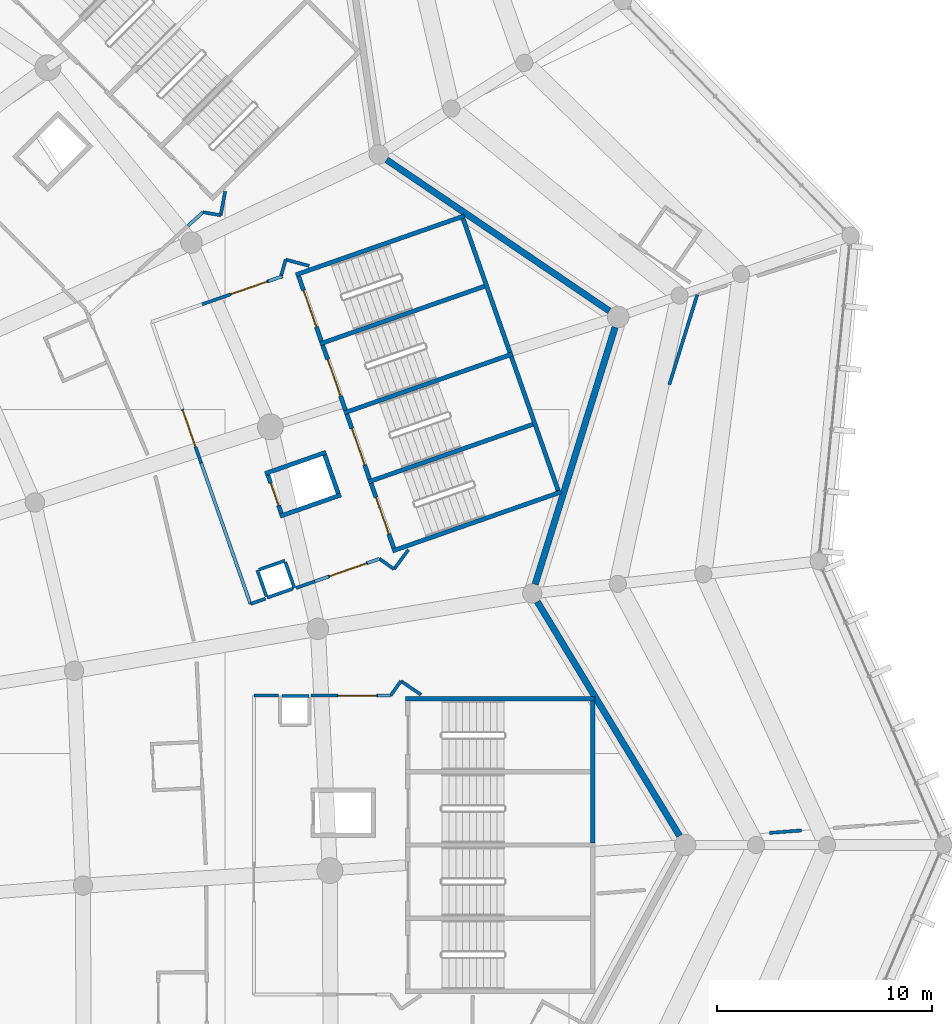
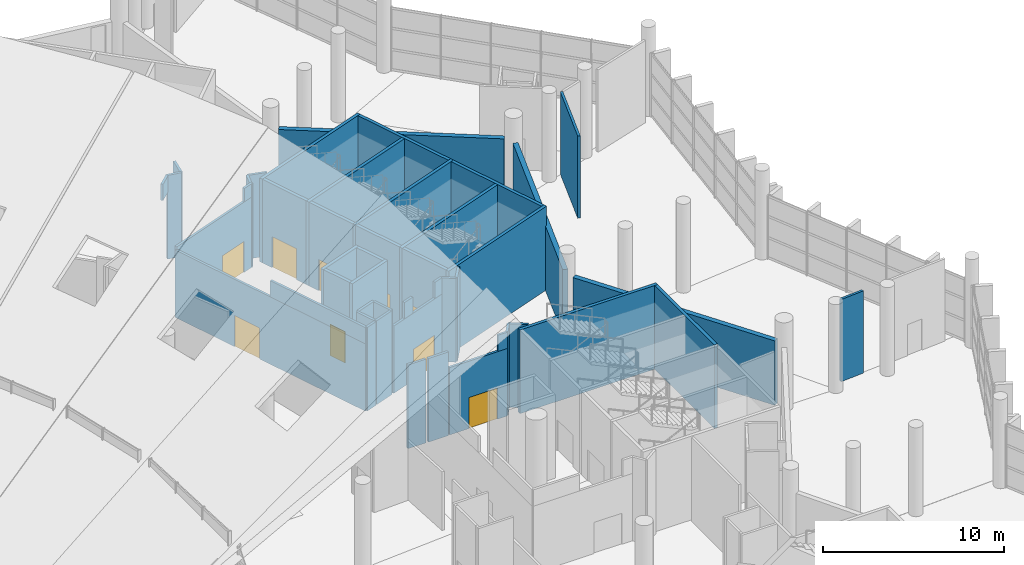
# One storey, part 172 of 249: 47 walls, 9 doors, 9 openings.
"""IFC4 building model written with IfcOpenShell, lengths in metres."""

from ifc_helpers import new_model, si_unit, direction, frame, frame_2d, origin, place, context, subcontext, project, spatial, rectangle, extrude, material, layer, layer_set, type_object, element, fill, save


model = new_model("IFC4")

# Units and contexts
model_context = context("Model", 3, precision=1e-05, world=origin(), true_north=direction((0.0, 1.0)))
body_context = subcontext(model_context, "Body", "Model", "MODEL_VIEW")
ifc_project = project(units=[si_unit("LENGTHUNIT", "METRE"), si_unit("AREAUNIT", "SQUARE_METRE"), si_unit("VOLUMEUNIT", "CUBIC_METRE"), si_unit("PLANEANGLEUNIT", "RADIAN"), si_unit("MASSUNIT", "GRAM", prefix="KILO")], contexts=[model_context])

# Site, building, storey
site_placement = place(None, origin())
site = spatial("IfcSite", under=ifc_project, at=site_placement, CompositionType="ELEMENT")
building_placement = place(site_placement, origin())
building = spatial("IfcBuilding", under=site, at=building_placement, Name="Meseta Stadium", CompositionType="ELEMENT")
storey_placement = place(building_placement, frame((0.0, 0.0, 12.0)))
storey = spatial("IfcBuildingStorey", under=building, at=storey_placement, Name="L02", CompositionType="ELEMENT", Elevation=12.0)

# Walls
ifc_material_1 = material(Name="Concrete C40/50", Category="concrete")
ifc_layer_1 = layer(ifc_material_1, 0.199951171875)
ifc_layer_set_1 = layer_set([ifc_layer_1], Name="Core divider wall 200")
wall_type_1 = type_object("IfcWallType", Name="Core divider wall 200", PredefinedType="SHEAR", material=ifc_layer_set_1)
for number, where, z_axis, x_axis, name in (
    (1, (94.505859375, 63.370849609375, 0.0), (0.0, 0.0, 1.0), (-0.943878073457, -0.330294084791, 0.0), "Core 06 L02 stair A divider wall"),
    (2, (92.260009765625, 69.789306640625, 0.0), (0.0, 0.0, 1.0), (-0.943878073457, -0.330294084791, 0.0), "Core 06 L02 stair B divider wall"),
):
    element("IfcWall", number, at=place(storey_placement, frame(where, z_axis=z_axis, x_axis=x_axis)), inside=storey, type_object=wall_type_1, Name=name, PredefinedType="SHEAR", context=body_context, shape_type="SweptSolid", body=[
        extrude(rectangle(XDim=8.300048828125, YDim=0.199951171875, at=frame_2d((4.14990234375, 0.0))), origin(), (0.0, 0.0, 1.0), 5.64990234375),
    ])
ifc_material_2 = material(Name="Concrete C40/50", Category="concrete")
ifc_layer_2 = layer(ifc_material_2, 0.199951171875)
ifc_layer_set_2 = layer_set([ifc_layer_2], Name="Core shaft wall 200")
wall_type_2 = type_object("IfcWallType", Name="Core shaft wall 200", PredefinedType="SHEAR", material=ifc_layer_set_2)
wall_1_placement = place(storey_placement, frame((97.199951171875, 50.550048828125, 0.0), z_axis=(0.0, 0.0, 1.0), x_axis=(-1.0, 0.0, 0.0)))
element("IfcWall", 3, at=wall_1_placement, inside=storey, type_object=wall_type_2, Name="Core 05 L02 stair wall B-side", PredefinedType="SHEAR", context=body_context, shape_type="SweptSolid", body=[
    extrude(rectangle(XDim=8.800048828125, YDim=0.199951171875, at=frame_2d((4.39990234375, 0.0))), origin(), (0.0, 0.0, 1.0), 5.64990234375),
])
wall_2_placement = place(storey_placement, frame((97.10009765625, 43.85009765625, 0.0), z_axis=(0.0, 0.0, 1.0), x_axis=(0.0, 1.0, 0.0)))
element("IfcWall", 4, at=wall_2_placement, inside=storey, type_object=wall_type_2, Name="Core 05 L02 stair B outer end wall", PredefinedType="SHEAR", context=body_context, shape_type="SweptSolid", body=[
    extrude(rectangle(XDim=6.599853515625, YDim=0.199951171875, at=frame_2d((3.2998046875, 0.0))), origin(), (0.0, 0.0, 1.0), 5.64990234375),
])
for number, where, z_axis, x_axis, name in (
    (5, (95.62890625, 60.16162109375, 0.0), (0.0, 0.0, 1.0), (-0.943887243331, -0.330267878966, 0.0), "Core 06 L02 stair wall A-side"),
    (6, (93.3828125, 66.580078125, 0.0), (0.0, 0.0, 1.0), (-0.943878073457, -0.330294084791, 0.0), "Core 06 L02 stair wall shared"),
    (7, (91.136962890625, 72.998291015625, 0.0), (0.0, 0.0, 1.0), (-0.943887243331, -0.330267878966, 0.0), "Core 06 L02 stair wall B-side"),
):
    element("IfcWall", number, at=place(storey_placement, frame(where, z_axis=z_axis, x_axis=x_axis)), inside=storey, type_object=wall_type_2, Name=name, PredefinedType="SHEAR", context=body_context, shape_type="SweptSolid", body=[
        extrude(rectangle(XDim=8.300048828125, YDim=0.199951171875, at=frame_2d((4.14990234375, 0.0))), origin(), (0.0, 0.0, 1.0), 5.64990234375),
    ])
for number, where, z_axis, x_axis, name in (
    (8, (95.50146484375, 60.222900390625, 0.0), (0.0, 0.0, 1.0), (-0.330286164688, 0.943880844925, 0.0), "Core 06 L02 stair A outer end wall"),
    (9, (93.255615234375, 66.641357421875, 0.0), (0.0, 0.0, 1.0), (-0.330286164688, 0.943880844925, 0.0), "Core 06 L02 stair B outer end wall"),
):
    element("IfcWall", number, at=place(storey_placement, frame(where, z_axis=z_axis, x_axis=x_axis)), inside=storey, type_object=wall_type_2, Name=name, PredefinedType="SHEAR", context=body_context, shape_type="SweptSolid", body=[
        extrude(rectangle(XDim=6.60009765625, YDim=0.199951171875, at=frame_2d((3.300048828125, 0.0))), origin(), (0.0, 0.0, 1.0), 5.64990234375),
    ])

# Wall, opening, door
wall_3_placement = place(storey_placement, frame((87.85595703125, 57.547607421875, 0.0), z_axis=(0.0, 0.0, 1.0), x_axis=(-0.330268863922, 0.943886898693, 0.0)))
wall_3 = element("IfcWall", 10, at=wall_3_placement, inside=storey, type_object=wall_type_2, Name="Core 06 L02 stair A1 inner end wall", PredefinedType="SHEAR", context=body_context, shape_type="SweptSolid", body=[
    extrude(rectangle(XDim=3.2001953125, YDim=0.199951171875, at=frame_2d((1.60009765625, 0.0))), origin(), (0.0, 0.0, 1.0), 5.64990234375),
])
opening_1_placement = place(wall_3_placement, frame((0.699951171875, 0.0, 0.0)))
opening_1 = element("IfcOpeningElement", 11, at=opening_1_placement, cuts=wall_3, Name="Opening D1233", PredefinedType="OPENING", context=body_context, shape_type="SweptSolid", body=[
    extrude(rectangle(XDim=1.800048828125, YDim=2.10009765625, at=frame_2d((0.89990234375, 1.050048828125))), frame((0.0, 0.10986328125, 0.0), z_axis=(0.0, -1.0, 0.0), x_axis=(1.0, 0.0, 0.0)), (0.0, 0.0, 1.0), 0.219970703125),
])
ifc_material_3 = material(Name="Steel", Category="steel")
door_type_1 = type_object("IfcDoorType", Name="Stair door 1800x2100", OperationType="DOUBLE_DOOR_SINGLE_SWING", PredefinedType="DOOR", material=ifc_material_3)
door_1_placement = place(opening_1_placement, origin())
door_1 = element("IfcDoor", 12, at=door_1_placement, inside=storey, type_object=door_type_1, Name="Stair A1 door 06 L02", OperationType="DOUBLE_DOOR_SINGLE_SWING", OverallHeight=2.10009765625, OverallWidth=1.800048828125, PredefinedType="DOOR", context=body_context, shape_type="SweptSolid", body=[
    extrude(rectangle(XDim=1.800048828125, YDim=2.10009765625, at=frame_2d((0.89990234375, 1.050048828125))), frame((0.0, 0.02490234375, 0.0), z_axis=(0.0, -1.0, 0.0), x_axis=(1.0, 0.0, 0.0)), (0.0, 0.0, 1.0), 0.050048828125),
])
fill(opening_1, door_1)

wall_4_placement = place(storey_placement, frame((86.73291015625, 60.7568359375, 0.0), z_axis=(0.0, 0.0, 1.0), x_axis=(-0.330268863922, 0.943886898693, 0.0)))
wall_4 = element("IfcWall", 13, at=wall_4_placement, inside=storey, type_object=wall_type_2, Name="Core 06 L02 stair A2 inner end wall", PredefinedType="SHEAR", context=body_context, shape_type="SweptSolid", body=[
    extrude(rectangle(XDim=3.2001953125, YDim=0.199951171875, at=frame_2d((1.60009765625, 0.0))), origin(), (0.0, 0.0, 1.0), 5.64990234375),
])
opening_2_placement = place(wall_4_placement, frame((0.699951171875, 0.0, 0.0)))
opening_2 = element("IfcOpeningElement", 14, at=opening_2_placement, cuts=wall_4, Name="Opening D1224", PredefinedType="OPENING", context=body_context, shape_type="SweptSolid", body=[
    extrude(rectangle(XDim=1.800048828125, YDim=2.10009765625, at=frame_2d((0.89990234375, 1.050048828125))), frame((0.0, 0.10986328125, 0.0), z_axis=(0.0, -1.0, 0.0), x_axis=(1.0, 0.0, 0.0)), (0.0, 0.0, 1.0), 0.219970703125),
])
door_2_placement = place(opening_2_placement, origin())
door_2 = element("IfcDoor", 15, at=door_2_placement, inside=storey, type_object=door_type_1, Name="Stair A2 door 06 L02", OperationType="DOUBLE_DOOR_SINGLE_SWING", OverallHeight=2.10009765625, OverallWidth=1.800048828125, PredefinedType="DOOR", context=body_context, shape_type="SweptSolid", body=[
    extrude(rectangle(XDim=1.800048828125, YDim=2.10009765625, at=frame_2d((0.89990234375, 1.050048828125))), frame((0.0, 0.02490234375, 0.0), z_axis=(0.0, -1.0, 0.0), x_axis=(1.0, 0.0, 0.0)), (0.0, 0.0, 1.0), 0.050048828125),
])
fill(opening_2, door_2)

wall_5_placement = place(storey_placement, frame((85.610107421875, 63.966064453125, 0.0), z_axis=(0.0, 0.0, 1.0), x_axis=(-0.330268863922, 0.943886898693, 0.0)))
wall_5 = element("IfcWall", 16, at=wall_5_placement, inside=storey, type_object=wall_type_2, Name="Core 06 L02 stair B1 inner end wall", PredefinedType="SHEAR", context=body_context, shape_type="SweptSolid", body=[
    extrude(rectangle(XDim=3.2001953125, YDim=0.199951171875, at=frame_2d((1.60009765625, 0.0))), origin(), (0.0, 0.0, 1.0), 5.64990234375),
])
opening_3_placement = place(wall_5_placement, frame((0.699951171875, 0.0, 0.0)))
opening_3 = element("IfcOpeningElement", 17, at=opening_3_placement, cuts=wall_5, Name="Opening D1220", PredefinedType="OPENING", context=body_context, shape_type="SweptSolid", body=[
    extrude(rectangle(XDim=1.800048828125, YDim=2.10009765625, at=frame_2d((0.89990234375, 1.050048828125))), frame((0.0, 0.10986328125, 0.0), z_axis=(0.0, -1.0, 0.0), x_axis=(1.0, 0.0, 0.0)), (0.0, 0.0, 1.0), 0.219970703125),
])
door_3_placement = place(opening_3_placement, origin())
door_3 = element("IfcDoor", 18, at=door_3_placement, inside=storey, type_object=door_type_1, Name="Stair B1 door 06 L02", OperationType="DOUBLE_DOOR_SINGLE_SWING", OverallHeight=2.10009765625, OverallWidth=1.800048828125, PredefinedType="DOOR", context=body_context, shape_type="SweptSolid", body=[
    extrude(rectangle(XDim=1.800048828125, YDim=2.10009765625, at=frame_2d((0.89990234375, 1.050048828125))), frame((0.0, 0.02490234375, 0.0), z_axis=(0.0, -1.0, 0.0), x_axis=(1.0, 0.0, 0.0)), (0.0, 0.0, 1.0), 0.050048828125),
])
fill(opening_3, door_3)

wall_6_placement = place(storey_placement, frame((84.487060546875, 67.17529296875, 0.0), z_axis=(0.0, 0.0, 1.0), x_axis=(-0.330268863922, 0.943886898693, 0.0)))
wall_6 = element("IfcWall", 19, at=wall_6_placement, inside=storey, type_object=wall_type_2, Name="Core 06 L02 stair B2 inner end wall", PredefinedType="SHEAR", context=body_context, shape_type="SweptSolid", body=[
    extrude(rectangle(XDim=3.2001953125, YDim=0.199951171875, at=frame_2d((1.60009765625, 0.0))), origin(), (0.0, 0.0, 1.0), 5.64990234375),
])
opening_4_placement = place(wall_6_placement, frame((0.699951171875, 0.0, 0.0)))
opening_4 = element("IfcOpeningElement", 20, at=opening_4_placement, cuts=wall_6, Name="Opening D1217", PredefinedType="OPENING", context=body_context, shape_type="SweptSolid", body=[
    extrude(rectangle(XDim=1.800048828125, YDim=2.10009765625, at=frame_2d((0.89990234375, 1.050048828125))), frame((0.0, 0.10986328125, 0.0), z_axis=(0.0, -1.0, 0.0), x_axis=(1.0, 0.0, 0.0)), (0.0, 0.0, 1.0), 0.219970703125),
])
door_4_placement = place(opening_4_placement, origin())
door_4 = element("IfcDoor", 21, at=door_4_placement, inside=storey, type_object=door_type_1, Name="Stair B2 door 06 L02", OperationType="DOUBLE_DOOR_SINGLE_SWING", OverallHeight=2.10009765625, OverallWidth=1.800048828125, PredefinedType="DOOR", context=body_context, shape_type="SweptSolid", body=[
    extrude(rectangle(XDim=1.800048828125, YDim=2.10009765625, at=frame_2d((0.89990234375, 1.050048828125))), frame((0.0, 0.02490234375, 0.0), z_axis=(0.0, -1.0, 0.0), x_axis=(1.0, 0.0, 0.0)), (0.0, 0.0, 1.0), 0.050048828125),
])
fill(opening_4, door_4)

# Walls
wall_7_placement = place(storey_placement, frame((85.39990234375, 60.025390625, 0.0), z_axis=(0.0, 0.0, 1.0), x_axis=(-0.943900215722, -0.330230802259, 0.0)))
element("IfcWall", 22, at=wall_7_placement, inside=storey, type_object=wall_type_2, Name="Core 06 L02 lift shaft wall left", PredefinedType="SHEAR", context=body_context, shape_type="SweptSolid", body=[
    extrude(rectangle(XDim=3.0, YDim=0.199951171875, at=frame_2d((1.5, 0.0))), origin(), (0.0, 0.0, 1.0), 5.64990234375),
])
wall_8_placement = place(storey_placement, frame((84.706298828125, 62.0078125, 0.0), z_axis=(0.0, 0.0, 1.0), x_axis=(-0.943874847782, -0.330303302625, 0.0)))
element("IfcWall", 23, at=wall_8_placement, inside=storey, type_object=wall_type_2, Name="Core 06 L02 lift shaft wall right", PredefinedType="SHEAR", context=body_context, shape_type="SweptSolid", body=[
    extrude(rectangle(XDim=3.000244140625, YDim=0.199951171875, at=frame_2d((1.5, 0.0))), origin(), (0.0, 0.0, 1.0), 5.64990234375),
])
wall_9_placement = place(storey_placement, frame((85.272216796875, 60.0869140625, 0.0), z_axis=(0.0, 0.0, 1.0), x_axis=(-0.330224505327, 0.943902418729, 0.0)))
element("IfcWall", 24, at=wall_9_placement, inside=storey, type_object=wall_type_2, Name="Core 06 L02 lift shaft back wall", PredefinedType="SHEAR", context=body_context, shape_type="SweptSolid", body=[
    extrude(rectangle(XDim=1.900146484375, YDim=0.199951171875, at=frame_2d((0.9501953125, 0.0))), origin(), (0.0, 0.0, 1.0), 5.64990234375),
])

# Wall, opening, door
wall_10_placement = place(storey_placement, frame((82.62939453125, 59.162109375, 0.0), z_axis=(0.0, 0.0, 1.0), x_axis=(-0.330224505327, 0.943902418729, 0.0)))
wall_10 = element("IfcWall", 25, at=wall_10_placement, inside=storey, type_object=wall_type_2, Name="Core 06 L02 lift shaft front wall", PredefinedType="SHEAR", context=body_context, shape_type="SweptSolid", body=[
    extrude(rectangle(XDim=1.900146484375, YDim=0.199951171875, at=frame_2d((0.9501953125, 0.0))), origin(), (0.0, 0.0, 1.0), 5.64990234375),
])
opening_5_placement = place(wall_10_placement, frame((0.39990234375, 0.0, 0.0)))
opening_5 = element("IfcOpeningElement", 26, at=opening_5_placement, cuts=wall_10, Name="Opening LD34", PredefinedType="OPENING", context=body_context, shape_type="SweptSolid", body=[
    extrude(rectangle(XDim=1.10009765625, YDim=2.10009765625, at=frame_2d((0.550048828125, 1.050048828125))), frame((0.0, 0.10986328125, 0.0), z_axis=(0.0, -1.0, 0.0), x_axis=(1.0, 0.0, 0.0)), (0.0, 0.0, 1.0), 0.219970703125),
])
ifc_material_4 = material(Name="Steel", Category="steel")
door_type_2 = type_object("IfcDoorType", Name="Lift landing door 1100x2100", OperationType="SLIDING_TO_LEFT", PredefinedType="DOOR", material=ifc_material_4)
door_5_placement = place(opening_5_placement, origin())
door_5 = element("IfcDoor", 27, at=door_5_placement, inside=storey, type_object=door_type_2, Name="Lift landing door LD34", OperationType="SLIDING_TO_RIGHT", OverallHeight=2.10009765625, OverallWidth=1.10009765625, PredefinedType="DOOR", context=body_context, shape_type="SweptSolid", body=[
    extrude(rectangle(XDim=1.10009765625, YDim=2.10009765625, at=frame_2d((0.550048828125, 1.050048828125))), frame((0.0, 0.02490234375, 0.0), z_axis=(0.0, -1.0, 0.0), x_axis=(1.0, 0.0, 0.0)), (0.0, 0.0, 1.0), 0.050048828125),
])
fill(opening_5, door_5)

# Walls
ifc_material_5 = material(Name="Masonry blockwork", Category="masonry")
ifc_layer_3 = layer(ifc_material_5, 0.14990234375)
ifc_layer_set_3 = layer_set([ifc_layer_3], Name="Partition 150")
wall_type_3 = type_object("IfcWallType", Name="Partition 150", PredefinedType="PARTITIONING", material=ifc_layer_set_3)
wall_11_placement = place(storey_placement, frame((105.322021484375, 44.31201171875, 0.0), z_axis=(0.0, 0.0, 1.0), x_axis=(0.997063142475, 0.07658387505, 0.0)))
element("IfcWall", 28, at=wall_11_placement, inside=storey, type_object=wall_type_3, Name="Partition L02 L02-ring03-0", PredefinedType="PARTITIONING", context=body_context, shape_type="SweptSolid", body=[
    extrude(rectangle(XDim=1.491943359375, YDim=0.14990234375, at=frame_2d((0.74609375, 0.0))), origin(), (0.0, 0.0, 1.0), 5.550048828125),
])
wall_12_placement = place(storey_placement, frame((100.6650390625, 65.154296875, 0.0), z_axis=(0.0, 0.0, 1.0), x_axis=(0.296860778356, 0.954920770679, 0.0)))
element("IfcWall", 29, at=wall_12_placement, inside=storey, type_object=wall_type_3, Name="Partition L02 L02-ring04-0", PredefinedType="PARTITIONING", context=body_context, shape_type="SweptSolid", body=[
    extrude(rectangle(XDim=4.375244140625, YDim=0.14990234375, at=frame_2d((2.1875, 0.0))), origin(), (0.0, 0.0, 1.0), 5.550048828125),
])
wall_13_placement = place(storey_placement, frame((83.925048828125, 50.675048828125, 0.0), z_axis=(0.0, 0.0, 1.0), x_axis=(-1.0, 0.0, 0.0)))
element("IfcWall", 30, at=wall_13_placement, inside=storey, type_object=wall_type_3, Name="Pressurisation shaft wall L02 core 05", PredefinedType="PARTITIONING", context=body_context, shape_type="SweptSolid", body=[
    extrude(rectangle(XDim=1.275146484375, YDim=0.14990234375, at=frame_2d((0.6376953125, 0.0))), origin(), (0.0, 0.0, 1.0), 5.64990234375),
])
wall_14_placement = place(storey_placement, frame((82.489990234375, 50.695068359375, 0.0), z_axis=(0.0, 0.0, 1.0), x_axis=(-1.0, 0.0, 0.0)))
element("IfcWall", 31, at=wall_14_placement, inside=storey, type_object=wall_type_3, Name="Stair vestibule wall L02 core 05", PredefinedType="PARTITIONING", context=body_context, shape_type="SweptSolid", body=[
    extrude(rectangle(XDim=1.135009765625, YDim=0.14990234375, at=frame_2d((0.5673828125, 0.0))), origin(), (0.0, 0.0, 1.0), 5.64990234375),
])
wall_15_placement = place(storey_placement, frame((89.11962890625, 50.739501953125, 0.0), z_axis=(0.0, 0.0, 1.0), x_axis=(-0.827055308354, 0.562120553728, 0.0)))
element("IfcWall", 32, at=wall_15_placement, inside=storey, type_object=wall_type_3, Name="Stair vestibule wall L02 core 05", PredefinedType="PARTITIONING", context=body_context, shape_type="SweptSolid", body=[
    extrude(rectangle(XDim=1.1279296875, YDim=0.14990234375, at=frame_2d((0.56396484375, 0.0))), origin(), (0.0, 0.0, 1.0), 5.64990234375),
])
wall_16_placement = place(storey_placement, frame((88.186767578125, 51.37353515625, 0.0), z_axis=(0.0, 0.0, 1.0), x_axis=(-0.575376756214, -0.817888493872, 0.0)))
element("IfcWall", 33, at=wall_16_placement, inside=storey, type_object=wall_type_3, Name="Stair vestibule wall L02 core 05", PredefinedType="PARTITIONING", context=body_context, shape_type="SweptSolid", body=[
    extrude(rectangle(XDim=0.82958984375, YDim=0.14990234375, at=frame_2d((0.414794921875, 0.0))), origin(), (0.0, 0.0, 1.0), 5.64990234375),
])

# Wall, opening, door
wall_17_placement = place(storey_placement, frame((87.70947265625, 50.695068359375, 0.0), z_axis=(0.0, 0.0, 1.0), x_axis=(-1.0, 0.0, 0.0)))
wall_17 = element("IfcWall", 34, at=wall_17_placement, inside=storey, type_object=wall_type_3, Name="Stair vestibule wall L02 core 05", PredefinedType="PARTITIONING", context=body_context, shape_type="SweptSolid", body=[
    extrude(rectangle(XDim=3.70361328125, YDim=0.14990234375, at=frame_2d((1.851806640625, 0.0))), origin(), (0.0, 0.0, 1.0), 4.550048828125),
])
opening_6_placement = place(wall_17_placement, frame((0.64990234375, 0.0, 0.0)))
opening_6 = element("IfcOpeningElement", 35, at=opening_6_placement, cuts=wall_17, Name="Opening D1223", PredefinedType="OPENING", context=body_context, shape_type="SweptSolid", body=[
    extrude(rectangle(XDim=1.800048828125, YDim=2.10009765625, at=frame_2d((0.89990234375, 1.050048828125))), frame((0.0, 0.0849609375, 0.0), z_axis=(0.0, -1.0, 0.0), x_axis=(1.0, 0.0, 0.0)), (0.0, 0.0, 1.0), 0.169921875),
])
ifc_material_6 = material(Name="Steel", Category="steel")
door_type_3 = type_object("IfcDoorType", Name="Fire double door 1800x2100 EI2 60", OperationType="DOUBLE_DOOR_SINGLE_SWING", PredefinedType="DOOR", material=ifc_material_6)
door_6_placement = place(opening_6_placement, origin())
door_6 = element("IfcDoor", 36, at=door_6_placement, inside=storey, type_object=door_type_3, Name="Stair vestibule door L02 core 05", OperationType="DOUBLE_DOOR_SINGLE_SWING", OverallHeight=2.10009765625, OverallWidth=1.800048828125, PredefinedType="DOOR", context=body_context, shape_type="SweptSolid", body=[
    extrude(rectangle(XDim=1.800048828125, YDim=2.10009765625, at=frame_2d((0.89990234375, 1.050048828125))), frame((0.0, 0.02490234375, 0.0), z_axis=(0.0, -1.0, 0.0), x_axis=(1.0, 0.0, 0.0)), (0.0, 0.0, 1.0), 0.050048828125),
])
fill(opening_6, door_6)

# Walls
wall_18_placement = place(storey_placement, frame((87.70947265625, 50.695068359375, 4.550048828125), z_axis=(0.0, 0.0, 1.0), x_axis=(-1.0, 0.0, 0.0)))
element("IfcWall", 37, at=wall_18_placement, inside=storey, type_object=wall_type_3, Name="Stair vestibule wall L02 core 05", PredefinedType="PARTITIONING", context=body_context, shape_type="SweptSolid", body=[
    extrude(rectangle(XDim=0.599853515625, YDim=0.14990234375, at=frame_2d((0.2998046875, 0.0))), origin(), (0.0, 0.0, 1.0), 1.099853515625),
])
for number, where, z_axis, x_axis, name in (
    (38, (83.234619140625, 55.692138671875, 0.0), (0.0, 0.0, 1.0), (-0.330324835387, 0.943867312246, 0.0), "Pressurisation shaft wall L02 core 06"),
    (39, (82.78857421875, 56.96630859375, 0.0), (0.0, 0.0, 1.0), (-0.943927004722, -0.330154221169, 0.0), "Pressurisation shaft wall L02 core 06"),
    (40, (81.514404296875, 56.5205078125, 0.0), (0.0, 0.0, 1.0), (0.330154221169, -0.943927004722, 0.0), "Pressurisation shaft wall L02 core 06"),
):
    element("IfcWall", number, at=place(storey_placement, frame(where, z_axis=z_axis, x_axis=x_axis)), inside=storey, type_object=wall_type_3, Name=name, PredefinedType="PARTITIONING", context=body_context, shape_type="SweptSolid", body=[
        extrude(rectangle(XDim=1.27490234375, YDim=0.14990234375, at=frame_2d((0.637451171875, 0.0))), origin(), (0.0, 0.0, 1.0), 5.64990234375),
    ])
wall_19_placement = place(storey_placement, frame((81.960205078125, 55.246337890625, 0.0), z_axis=(0.0, 0.0, 1.0), x_axis=(0.943888201207, 0.330265141396, 0.0)))
element("IfcWall", 41, at=wall_19_placement, inside=storey, type_object=wall_type_3, Name="Pressurisation shaft wall L02 core 06", PredefinedType="PARTITIONING", context=body_context, shape_type="SweptSolid", body=[
    extrude(rectangle(XDim=1.275146484375, YDim=0.14990234375, at=frame_2d((0.6376953125, 0.0))), origin(), (0.0, 0.0, 1.0), 5.64990234375),
])

# Wall, opening, door
wall_20_placement = place(storey_placement, frame((82.677490234375, 70.19189453125, 0.0), z_axis=(0.0, 0.0, 1.0), x_axis=(-0.943884385731, -0.330276045715, 0.0)))
wall_20 = element("IfcWall", 42, at=wall_20_placement, inside=storey, type_object=wall_type_3, Name="Stair vestibule wall L02 core 06", PredefinedType="PARTITIONING", context=body_context, shape_type="SweptSolid", body=[
    extrude(rectangle(XDim=6.433349609375, YDim=0.14990234375, at=frame_2d((3.216796875, 0.0))), origin(), (0.0, 0.0, 1.0), 4.75),
])
opening_7_placement = place(wall_20_placement, frame((0.75, 0.0, 0.0)))
opening_7 = element("IfcOpeningElement", 43, at=opening_7_placement, cuts=wall_20, Name="Opening D1210", PredefinedType="OPENING", context=body_context, shape_type="SweptSolid", body=[
    extrude(rectangle(XDim=1.800048828125, YDim=2.10009765625, at=frame_2d((0.89990234375, 1.050048828125))), frame((0.0, 0.0849609375, 0.0), z_axis=(0.0, -1.0, 0.0), x_axis=(1.0, 0.0, 0.0)), (0.0, 0.0, 1.0), 0.169921875),
])
door_7_placement = place(opening_7_placement, origin())
door_7 = element("IfcDoor", 44, at=door_7_placement, inside=storey, type_object=door_type_3, Name="Stair vestibule door L02 core 06", OperationType="DOUBLE_DOOR_SINGLE_SWING", OverallHeight=2.10009765625, OverallWidth=1.800048828125, PredefinedType="DOOR", context=body_context, shape_type="SweptSolid", body=[
    extrude(rectangle(XDim=1.800048828125, YDim=2.10009765625, at=frame_2d((0.89990234375, 1.050048828125))), frame((0.0, 0.02490234375, 0.0), z_axis=(0.0, -1.0, 0.0), x_axis=(1.0, 0.0, 0.0)), (0.0, 0.0, 1.0), 0.050048828125),
])
fill(opening_7, door_7)

# Wall
wall_21_placement = place(storey_placement, frame((82.677490234375, 70.19189453125, 4.75), z_axis=(0.0, 0.0, 1.0), x_axis=(-0.943907271516, -0.330210633958, 0.0)))
element("IfcWall", 45, at=wall_21_placement, inside=storey, type_object=wall_type_3, Name="Stair vestibule wall L02 core 06", PredefinedType="PARTITIONING", context=body_context, shape_type="SweptSolid", body=[
    extrude(rectangle(XDim=0.7001953125, YDim=0.14990234375, at=frame_2d((0.35009765625, 0.0))), origin(), (0.0, 0.0, 1.0), 0.89990234375),
])

# Wall, opening, door
wall_22_placement = place(storey_placement, frame((76.605224609375, 68.067138671875, 0.0), z_axis=(0.0, 0.0, 1.0), x_axis=(0.330282309563, -0.943882193915, 0.0)))
wall_22 = element("IfcWall", 46, at=wall_22_placement, inside=storey, type_object=wall_type_3, Name="Stair vestibule wall L02 core 06", PredefinedType="PARTITIONING", context=body_context, shape_type="SweptSolid", body=[
    extrude(rectangle(XDim=13.89013671875, YDim=0.14990234375, at=frame_2d((6.945068359375, 0.0))), origin(), (0.0, 0.0, 1.0), 4.550048828125),
])
opening_8_placement = place(wall_22_placement, frame((4.35009765625, 0.0, 0.0)))
opening_8 = element("IfcOpeningElement", 47, at=opening_8_placement, cuts=wall_22, Name="Opening D1200", PredefinedType="OPENING", context=body_context, shape_type="SweptSolid", body=[
    extrude(rectangle(XDim=1.800048828125, YDim=2.10009765625, at=frame_2d((0.89990234375, 1.050048828125))), frame((0.0, 0.0849609375, 0.0), z_axis=(0.0, -1.0, 0.0), x_axis=(1.0, 0.0, 0.0)), (0.0, 0.0, 1.0), 0.169921875),
])
door_8_placement = place(opening_8_placement, origin())
door_8 = element("IfcDoor", 48, at=door_8_placement, inside=storey, type_object=door_type_3, Name="Stair vestibule door L02 core 06", OperationType="DOUBLE_DOOR_SINGLE_SWING", OverallHeight=2.10009765625, OverallWidth=1.800048828125, PredefinedType="DOOR", context=body_context, shape_type="SweptSolid", body=[
    extrude(rectangle(XDim=1.800048828125, YDim=2.10009765625, at=frame_2d((0.89990234375, 1.050048828125))), frame((0.0, 0.02490234375, 0.0), z_axis=(0.0, -1.0, 0.0), x_axis=(1.0, 0.0, 0.0)), (0.0, 0.0, 1.0), 0.050048828125),
])
fill(opening_8, door_8)

# Walls
wall_23_placement = place(storey_placement, frame((78.899169921875, 61.511962890625, 4.550048828125), z_axis=(0.0, 0.0, 1.0), x_axis=(0.330261170987, -0.943889590439, 0.0)))
element("IfcWall", 49, at=wall_23_placement, inside=storey, type_object=wall_type_3, Name="Stair vestibule wall L02 core 06", PredefinedType="PARTITIONING", context=body_context, shape_type="SweptSolid", body=[
    extrude(rectangle(XDim=6.945068359375, YDim=0.14990234375, at=frame_2d((3.47265625, 0.0))), origin(), (0.0, 0.0, 1.0), 1.099853515625),
])
wall_24_placement = place(storey_placement, frame((81.19287109375, 54.95654296875, 0.0), z_axis=(0.0, 0.0, 1.0), x_axis=(0.943853205793, 0.330365140284, 0.0)))
element("IfcWall", 50, at=wall_24_placement, inside=storey, type_object=wall_type_3, Name="Stair vestibule wall L02 core 06", PredefinedType="PARTITIONING", context=body_context, shape_type="SweptSolid", body=[
    extrude(rectangle(XDim=0.739013671875, YDim=0.14990234375, at=frame_2d((0.36962890625, 0.0))), origin(), (0.0, 0.0, 1.0), 5.64990234375),
])

# Wall, opening, door
wall_25_placement = place(storey_placement, frame((83.3212890625, 55.701416015625, 0.0), z_axis=(0.0, 0.0, 1.0), x_axis=(0.943873211719, 0.330307977801, 0.0)))
wall_25 = element("IfcWall", 51, at=wall_25_placement, inside=storey, type_object=wall_type_3, Name="Stair vestibule wall L02 core 06", PredefinedType="PARTITIONING", context=body_context, shape_type="SweptSolid", body=[
    extrude(rectangle(XDim=4.09912109375, YDim=0.14990234375, at=frame_2d((2.049560546875, 0.0))), origin(), (0.0, 0.0, 1.0), 4.550048828125),
])
opening_9_placement = place(wall_25_placement, frame((1.64990234375, 0.0, 0.0)))
opening_9 = element("IfcOpeningElement", 52, at=opening_9_placement, cuts=wall_25, Name="Opening D1221", PredefinedType="OPENING", context=body_context, shape_type="SweptSolid", body=[
    extrude(rectangle(XDim=1.800048828125, YDim=2.10009765625, at=frame_2d((0.89990234375, 1.050048828125))), frame((0.0, 0.0849609375, 0.0), z_axis=(0.0, -1.0, 0.0), x_axis=(1.0, 0.0, 0.0)), (0.0, 0.0, 1.0), 0.169921875),
])
door_9_placement = place(opening_9_placement, origin())
door_9 = element("IfcDoor", 53, at=door_9_placement, inside=storey, type_object=door_type_3, Name="Stair vestibule door L02 core 06", OperationType="DOUBLE_DOOR_SINGLE_SWING", OverallHeight=2.10009765625, OverallWidth=1.800048828125, PredefinedType="DOOR", context=body_context, shape_type="SweptSolid", body=[
    extrude(rectangle(XDim=1.800048828125, YDim=2.10009765625, at=frame_2d((0.89990234375, 1.050048828125))), frame((0.0, 0.02490234375, 0.0), z_axis=(0.0, -1.0, 0.0), x_axis=(1.0, 0.0, 0.0)), (0.0, 0.0, 1.0), 0.050048828125),
])
fill(opening_9, door_9)

# Walls
wall_26_placement = place(storey_placement, frame((84.18115234375, 56.002197265625, 4.550048828125), z_axis=(0.0, 0.0, 1.0), x_axis=(0.943792058507, 0.330539786257, 0.0)))
element("IfcWall", 54, at=wall_26_placement, inside=storey, type_object=wall_type_3, Name="Stair vestibule wall L02 core 06", PredefinedType="PARTITIONING", context=body_context, shape_type="SweptSolid", body=[
    extrude(rectangle(XDim=0.689208984375, YDim=0.14990234375, at=frame_2d((0.3447265625, 0.0))), origin(), (0.0, 0.0, 1.0), 1.099853515625),
])
wall_27_placement = place(storey_placement, frame((87.1904296875, 57.055419921875, 0.0), z_axis=(0.0, 0.0, 1.0), x_axis=(0.813315890962, -0.581822362504, 0.0)))
element("IfcWall", 55, at=wall_27_placement, inside=storey, type_object=wall_type_3, Name="Stair vestibule wall L02 core 06", PredefinedType="PARTITIONING", context=body_context, shape_type="SweptSolid", body=[
    extrude(rectangle(XDim=0.830078125, YDim=0.14990234375, at=frame_2d((0.4150390625, 0.0))), origin(), (0.0, 0.0, 1.0), 5.64990234375),
])
for number, where, z_axis, x_axis, name in (
    (56, (87.865478515625, 56.572509765625, 0.0), (0.0, 0.0, 1.0), (0.595036002288, 0.803699045651, 0.0), "Stair vestibule wall L02 core 06"),
    (57, (83.91943359375, 70.673583984375, 0.0), (0.0, 0.0, 1.0), (-0.966256491935, 0.257581815726, 0.0), "Stair vestibule wall L02 core 06"),
):
    element("IfcWall", number, at=place(storey_placement, frame(where, z_axis=z_axis, x_axis=x_axis)), inside=storey, type_object=wall_type_3, Name=name, PredefinedType="PARTITIONING", context=body_context, shape_type="SweptSolid", body=[
        extrude(rectangle(XDim=1.1279296875, YDim=0.14990234375, at=frame_2d((0.56396484375, 0.0))), origin(), (0.0, 0.0, 1.0), 5.64990234375),
    ])
wall_28_placement = place(storey_placement, frame((82.82958984375, 70.964111328125, 0.0), z_axis=(0.0, 0.0, 1.0), x_axis=(-0.273195175007, -0.961958625073, 0.0)))
element("IfcWall", 58, at=wall_28_placement, inside=storey, type_object=wall_type_3, Name="Stair vestibule wall L02 core 06", PredefinedType="PARTITIONING", context=body_context, shape_type="SweptSolid", body=[
    extrude(rectangle(XDim=0.908935546875, YDim=0.14990234375, at=frame_2d((0.45458984375, 0.0))), origin(), (0.0, 0.0, 1.0), 5.64990234375),
])
wall_29_placement = place(storey_placement, frame((78.287841796875, 72.5361328125, 4.550048828125), z_axis=(0.0, 0.0, 1.0), x_axis=(0.741940562606, 0.670465660239, 0.0)))
element("IfcWall", 59, at=wall_29_placement, inside=storey, type_object=wall_type_3, Name="Stair vestibule wall L02 core 07", PredefinedType="PARTITIONING", context=body_context, shape_type="SweptSolid", body=[
    extrude(rectangle(XDim=0.942626953125, YDim=0.14990234375, at=frame_2d((0.47119140625, 0.0))), origin(), (0.0, 0.0, 1.0), 1.099853515625),
])
wall_30_placement = place(storey_placement, frame((78.9873046875, 73.168212890625, 0.0), z_axis=(0.0, 0.0, 1.0), x_axis=(0.985252654039, -0.171105837743, 0.0)))
element("IfcWall", 60, at=wall_30_placement, inside=storey, type_object=wall_type_3, Name="Stair vestibule wall L02 core 07", PredefinedType="PARTITIONING", context=body_context, shape_type="SweptSolid", body=[
    extrude(rectangle(XDim=0.831787109375, YDim=0.14990234375, at=frame_2d((0.416015625, 0.0))), origin(), (0.0, 0.0, 1.0), 5.64990234375),
])
wall_31_placement = place(storey_placement, frame((79.806884765625, 73.02587890625, 0.0), z_axis=(0.0, 0.0, 1.0), x_axis=(0.187490142289, 0.982266484486, 0.0)))
element("IfcWall", 61, at=wall_31_placement, inside=storey, type_object=wall_type_3, Name="Stair vestibule wall L02 core 07", PredefinedType="PARTITIONING", context=body_context, shape_type="SweptSolid", body=[
    extrude(rectangle(XDim=1.127685546875, YDim=0.14990234375, at=frame_2d((0.56396484375, 0.0))), origin(), (0.0, 0.0, 1.0), 5.64990234375),
])
wall_32_placement = place(storey_placement, frame((86.625, 56.857421875, 4.550048828125), z_axis=(0.0, 0.0, 1.0), x_axis=(0.943807519121, 0.330495638172, 0.0)))
element("IfcWall", 62, at=wall_32_placement, inside=storey, type_object=wall_type_3, Name="Stair vestibule wall L02 core 06", PredefinedType="PARTITIONING", context=body_context, shape_type="SweptSolid", body=[
    extrude(rectangle(XDim=0.59912109375, YDim=0.14990234375, at=frame_2d((0.299560546875, 0.0))), origin(), (0.0, 0.0, 1.0), 1.099853515625),
])
ifc_material_7 = material(Name="White precast concrete C40/50", Category="concrete")
ifc_layer_4 = layer(ifc_material_7, 0.300048828125)
ifc_layer_set_4 = layer_set([ifc_layer_4], Name="Pleated panel wall 300 concourse")
wall_type_4 = type_object("IfcWallType", Name="Pleated panel wall 300 concourse", PredefinedType="SOLIDWALL", material=ifc_layer_set_4)
wall_33_placement = place(storey_placement, frame((94.52783203125, 55.057373046875, 0.0), z_axis=(0.0, 0.0, 1.0), x_axis=(0.519362860044, -0.854553813172, 0.0)))
element("IfcWall", 63, at=wall_33_placement, inside=storey, type_object=wall_type_4, Name="Pleated facade panel L02 F08", PredefinedType="SOLIDWALL", context=body_context, shape_type="SweptSolid", body=[
    extrude(rectangle(XDim=12.732421875, YDim=0.300048828125, at=frame_2d((6.3662109375, 0.0))), origin(), (0.0, 0.0, 1.0), 4.35009765625),
])
for number, where, z_axis, x_axis, name in (
    (64, (98.142822265625, 67.820068359375, 0.0), (0.0, 0.0, 1.0), (-0.29687600697, -0.954916036354, 0.0), "Pleated facade panel L02 F09"),
    (65, (87.52294921875, 75.604248046875, 0.0), (0.0, 0.0, 1.0), (0.827480954447, -0.561493784496, 0.0), "Pleated facade panel L02 F10"),
):
    element("IfcWall", number, at=place(storey_placement, frame(where, z_axis=z_axis, x_axis=x_axis)), inside=storey, type_object=wall_type_4, Name=name, PredefinedType="SOLIDWALL", context=body_context, shape_type="SweptSolid", body=[
        extrude(rectangle(XDim=12.51318359375, YDim=0.300048828125, at=frame_2d((6.256591796875, 0.0))), origin(), (0.0, 0.0, 1.0), 4.35009765625),
    ])

save(model, "model.ifc")
